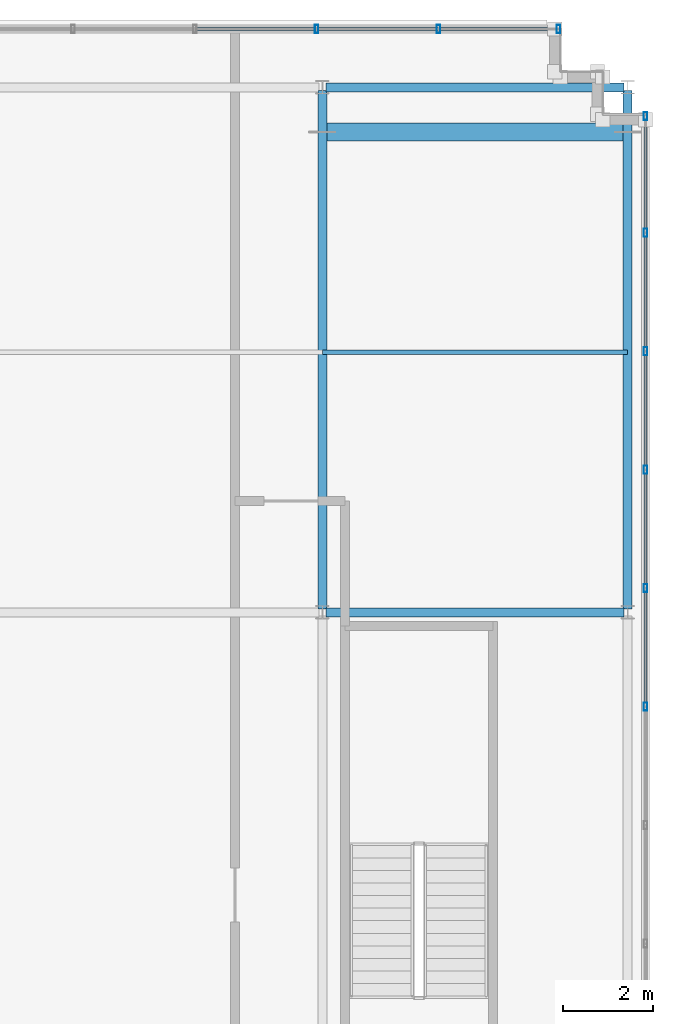
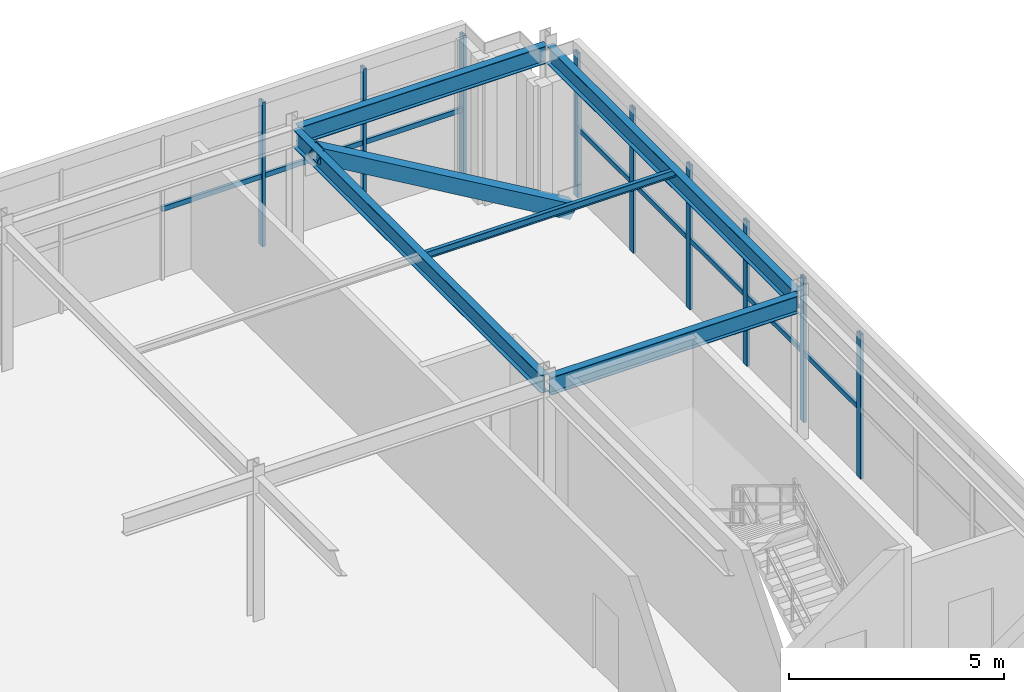
# One storey, part 22 of 31: 19 members, 4 beams, 2 elements without a shape of their own.
"""IFC4 building model written with IfcOpenShell, lengths in metres."""

from ifc_helpers import new_model, si_unit, direction, frame, origin, origin_2d, place, context, subcontext, project, spatial, hollow_rectangle, i_section, extrude, source, transform, mapped, material, material_profile, profile_set, type_object, element, aggregate, save


model = new_model("IFC4")

# Units and contexts
model_context = context("Model", 3, precision=1e-05, world=origin(), true_north=direction((0.0, 1.0)))
body_context = subcontext(model_context, "Body", "Model", "MODEL_VIEW")
ifc_project = project(units=[si_unit("LENGTHUNIT", "METRE"), si_unit("AREAUNIT", "SQUARE_METRE"), si_unit("VOLUMEUNIT", "CUBIC_METRE"), si_unit("PLANEANGLEUNIT", "RADIAN"), si_unit("MASSUNIT", "GRAM", prefix="KILO")], contexts=[model_context])

# Site, building, storey
site_placement = place(None, origin())
site = spatial("IfcSite", under=ifc_project, at=site_placement, CompositionType="ELEMENT")
building_placement = place(site_placement, origin())
building = spatial("IfcBuilding", under=site, at=building_placement, Name="Trelvane Seafront Commons", CompositionType="ELEMENT")
storey_placement = place(building_placement, frame((0.0, 0.0, 307.89990234375)))
storey = spatial("IfcBuildingStorey", under=building, at=storey_placement, Name="L80", CompositionType="ELEMENT", Elevation=307.89990234375)

# Beams
ifc_material_1 = material(Name="Steel SM355 (S355)", Category="steel")
ifc_material_profile_1 = material_profile(ifc_material_1, i_section(OverallWidth=0.199951171875, OverallDepth=0.5, WebThickness=0.010009765625, FlangeThickness=0.01611328125, at=origin_2d()), Name="H-500x200x10x16")
ifc_profile_set_1 = profile_set([ifc_material_profile_1], Name="Steel SM355 (S355)")
beam_type_1 = type_object("IfcBeamType", Name="STR-CROWN-FRAME-RING", PredefinedType="SPANDREL", material=ifc_profile_set_1)
shared_shape_1 = source(origin(), body_context, "Body", "SweptSolid", [
    extrude(i_section(OverallWidth=0.199951171875, OverallDepth=0.5, WebThickness=0.010009765625, FlangeThickness=0.01611328125, at=origin_2d()), origin(), (0.0, 0.0, 1.0), 6.64990234375),
])
for number, where, z_axis, x_axis, name in (
    (1, (58.875, 33.39990234375, 3.85009765625), (1.0, 0.0, 0.0), (0.0, 1.0, 0.0), "L80 CROWN FRAME Ring Beam G-14"),
    (2, (58.875, 45.10009765625, 3.85009765625), (1.0, 0.0, 0.0), (0.0, 1.0, 0.0), "L80 CROWN FRAME Ring Beam G-21"),
):
    element("IfcBeam", number, at=place(storey_placement, frame(where, z_axis=z_axis, x_axis=x_axis)), inside=storey, type_object=beam_type_1, Name=name, PredefinedType="SPANDREL", context=body_context, shape_type="MappedRepresentation", body=[
        mapped(shared_shape_1, transform((0.0, 0.0, 0.0), x_axis=(1.0, 0.0, 0.0), y_axis=(0.0, 1.0, 0.0), z_axis=(0.0, 0.0, 1.0), scale=1.0)),
    ])
ifc_material_profile_2 = material_profile(ifc_material_1, i_section(OverallWidth=0.199951171875, OverallDepth=0.5, WebThickness=0.010009765625, FlangeThickness=0.01611328125, at=origin_2d()), Name="H-500x200x10x16")
ifc_profile_set_2 = profile_set([ifc_material_profile_2], Name="Steel SM355 (S355)")
beam_type_2 = type_object("IfcBeamType", Name="STR-BM-H500", PredefinedType="BEAM", material=ifc_profile_set_2)
shared_shape_2 = source(origin(), body_context, "Body", "SweptSolid", [
    extrude(i_section(OverallWidth=0.199951171875, OverallDepth=0.5, WebThickness=0.010009765625, FlangeThickness=0.01611328125, at=origin_2d()), origin(), (0.0, 0.0, 1.0), 11.5498046875),
])
for number, where, z_axis, x_axis, name in (
    (3, (58.800048828125, 33.47509765625, 3.85009765625), (0.0, 1.0, 0.0), (-1.0, 0.0, 0.0), "L80 Primary Girder G-35"),
    (4, (65.60009765625, 33.47509765625, 3.85009765625), (0.0, 1.0, 0.0), (-1.0, 0.0, 0.0), "L80 Primary Girder G-37"),
):
    element("IfcBeam", number, at=place(storey_placement, frame(where, z_axis=z_axis, x_axis=x_axis)), inside=storey, type_object=beam_type_2, Name=name, PredefinedType="BEAM", context=body_context, shape_type="MappedRepresentation", body=[
        mapped(shared_shape_2, transform((0.0, 0.0, 0.0), x_axis=(1.0, 0.0, 0.0), y_axis=(0.0, 1.0, 0.0), z_axis=(0.0, 0.0, 1.0), scale=1.0)),
    ])

# Members
ifc_material_profile_3 = material_profile(ifc_material_1, i_section(OverallWidth=0.10009765625, OverallDepth=0.199951171875, WebThickness=0.005615234375, FlangeThickness=0.008056640625, at=origin_2d()), Name="H-200x100x5.5x8")
ifc_profile_set_3 = profile_set([ifc_material_profile_3], Name="Steel SM355 (S355)")
member_type_1 = type_object("IfcMemberType", Name="STR-PUR-H200", PredefinedType="PURLIN", material=ifc_profile_set_3)
shared_shape_3 = source(origin(), body_context, "Body", "SweptSolid", [
    extrude(i_section(OverallWidth=0.10009765625, OverallDepth=0.199951171875, WebThickness=0.005615234375, FlangeThickness=0.008056640625, at=origin_2d()), origin(), (0.0, 0.0, 1.0), 6.800048828125),
])
member_1_placement = place(storey_placement, frame((58.800048828125, 39.199951171875, 4.0), z_axis=(1.0, 0.0, 0.0), x_axis=(0.0, 1.0, 0.0)))
element("IfcMember", 5, at=member_1_placement, inside=storey, type_object=member_type_1, Name="L80 Crown Roof Purlin PR-2", PredefinedType="PURLIN", context=body_context, shape_type="MappedRepresentation", body=[
    mapped(shared_shape_3, transform((0.0, 0.0, 0.0), x_axis=(1.0, 0.0, 0.0), y_axis=(0.0, 1.0, 0.0), z_axis=(0.0, 0.0, 1.0), scale=1.0)),
])
ifc_material_profile_4 = material_profile(ifc_material_1, hollow_rectangle(XDim=0.39990234375, YDim=0.39990234375, WallThickness=0.01611328125, at=origin_2d()), Name="RHS-400x400x16")
ifc_profile_set_4 = profile_set([ifc_material_profile_4], Name="Steel SM355 (S355)")
member_type_2 = type_object("IfcMemberType", Name="STR-BRC-RHS400", PredefinedType="BRACE", material=ifc_profile_set_4)
shared_shape_4 = source(origin(), body_context, "Body", "SweptSolid", [
    extrude(hollow_rectangle(XDim=0.39990234375, YDim=0.39990234375, WallThickness=0.01611328125, at=origin_2d()), origin(), (0.0, 0.0, 1.0), 7.879150390625),
])
member_2_placement = place(storey_placement, frame((65.60009765625, 44.10009765625, 0.0), z_axis=(-0.863044121855, 0.0, 0.50512854179), x_axis=(0.0, -1.0, 0.0)))
element("IfcMember", 6, at=member_2_placement, inside=storey, type_object=member_type_2, Name="L80 CROWN FRAME Diagonal Brace CE", PredefinedType="BRACE", context=body_context, shape_type="MappedRepresentation", body=[
    mapped(shared_shape_4, transform((0.0, 0.0, 0.0), x_axis=(1.0, 0.0, 0.0), y_axis=(0.0, 1.0, 0.0), z_axis=(0.0, 0.0, 1.0), scale=1.0)),
])

# Curtain wall, members
ifc_material_2 = material(Name="Anodised pale-silver aluminium", Category="aluminium")
curtain_wall_type = type_object("IfcCurtainWallType", Name="ARCH-CW6-CROWN", PredefinedType="NOTDEFINED", material=ifc_material_2)
curtain_wall_1_placement = place(storey_placement, origin())
curtain_wall_1 = element("IfcCurtainWall", 7, at=curtain_wall_1_placement, inside=storey, type_object=curtain_wall_type, Name="CW-L80-0141", PredefinedType="NOTDEFINED")
ifc_material_profile_5 = material_profile(ifc_material_2, hollow_rectangle(XDim=0.080078125, YDim=0.179931640625, WallThickness=0.00439453125, at=origin_2d()), Name="MULL-80x180x4.5")
ifc_profile_set_5 = profile_set([ifc_material_profile_5], Name="Anodised pale-silver aluminium")
member_type_3 = type_object("IfcMemberType", Name="ARCH-CW-MULL-180", PredefinedType="MULLION", material=ifc_profile_set_5)
shared_shape_5 = source(origin(), body_context, "Body", "SweptSolid", [
    extrude(hollow_rectangle(XDim=0.080078125, YDim=0.179931640625, WallThickness=0.00439453125, at=origin_2d()), origin(), (0.0, 0.0, 1.0), 4.10009765625),
])
member_3_placement = place(storey_placement, frame((58.67138671875, 46.39990234375, 0.0), z_axis=(0.0, 0.0, 1.0), x_axis=(1.0, 0.0, 0.0)))
member_3 = element("IfcMember", 8, at=member_3_placement, type_object=member_type_3, Name="CW-L80-0141-M05", PredefinedType="MULLION", context=body_context, shape_type="MappedRepresentation", body=[
    mapped(shared_shape_5, transform((0.0, 0.0, 0.0), x_axis=(1.0, 0.0, 0.0), y_axis=(0.0, 1.0, 0.0), z_axis=(0.0, 0.0, 1.0), scale=1.0)),
])
member_4_placement = place(storey_placement, frame((61.3857421875, 46.39990234375, 0.0), z_axis=(0.0, 0.0, 1.0), x_axis=(1.0, 0.0, 0.0)))
member_4 = element("IfcMember", 9, at=member_4_placement, type_object=member_type_3, Name="CW-L80-0141-M06", PredefinedType="MULLION", context=body_context, shape_type="MappedRepresentation", body=[
    mapped(shared_shape_5, transform((0.0, 0.0, 0.0), x_axis=(1.0, 0.0, 0.0), y_axis=(0.0, 1.0, 0.0), z_axis=(0.0, 0.0, 1.0), scale=1.0)),
])
member_5_placement = place(storey_placement, frame((64.06005859375, 46.39990234375, 0.0), z_axis=(0.0, 0.0, 1.0), x_axis=(1.0, 0.0, 0.0)))
member_5 = element("IfcMember", 10, at=member_5_placement, type_object=member_type_3, Name="CW-L80-0141-M07", PredefinedType="MULLION", context=body_context, shape_type="MappedRepresentation", body=[
    mapped(shared_shape_5, transform((0.0, 0.0, 0.0), x_axis=(1.0, 0.0, 0.0), y_axis=(0.0, 1.0, 0.0), z_axis=(0.0, 0.0, 1.0), scale=1.0)),
])

curtain_wall_2_placement = place(storey_placement, origin())
curtain_wall_2 = element("IfcCurtainWall", 11, at=curtain_wall_2_placement, inside=storey, type_object=curtain_wall_type, Name="CW-L80-0142", PredefinedType="NOTDEFINED")
member_6_placement = place(storey_placement, frame((66.0, 44.4599609375, 0.0), z_axis=(0.0, 0.0, 1.0), x_axis=(1.0, 0.0, 0.0)))
member_6 = element("IfcMember", 12, at=member_6_placement, type_object=member_type_3, Name="CW-L80-0142-M00", PredefinedType="MULLION", context=body_context, shape_type="MappedRepresentation", body=[
    mapped(shared_shape_5, transform((0.0, 0.0, 0.0), x_axis=(1.0, 0.0, 0.0), y_axis=(0.0, 1.0, 0.0), z_axis=(0.0, 0.0, 1.0), scale=1.0)),
])
member_7_placement = place(storey_placement, frame((66.0, 41.860107421875, 0.0), z_axis=(0.0, 0.0, 1.0), x_axis=(1.0, 0.0, 0.0)))
member_7 = element("IfcMember", 13, at=member_7_placement, type_object=member_type_3, Name="CW-L80-0142-M01", PredefinedType="MULLION", context=body_context, shape_type="MappedRepresentation", body=[
    mapped(shared_shape_5, transform((0.0, 0.0, 0.0), x_axis=(1.0, 0.0, 0.0), y_axis=(0.0, 1.0, 0.0), z_axis=(0.0, 0.0, 1.0), scale=1.0)),
])
member_8_placement = place(storey_placement, frame((66.0, 39.219970703125, 0.0), z_axis=(0.0, 0.0, 1.0), x_axis=(1.0, 0.0, 0.0)))
member_8 = element("IfcMember", 14, at=member_8_placement, type_object=member_type_3, Name="CW-L80-0142-M02", PredefinedType="MULLION", context=body_context, shape_type="MappedRepresentation", body=[
    mapped(shared_shape_5, transform((0.0, 0.0, 0.0), x_axis=(1.0, 0.0, 0.0), y_axis=(0.0, 1.0, 0.0), z_axis=(0.0, 0.0, 1.0), scale=1.0)),
])
member_9_placement = place(storey_placement, frame((66.0, 36.580078125, 0.0), z_axis=(0.0, 0.0, 1.0), x_axis=(1.0, 0.0, 0.0)))
member_9 = element("IfcMember", 15, at=member_9_placement, type_object=member_type_3, Name="CW-L80-0142-M03", PredefinedType="MULLION", context=body_context, shape_type="MappedRepresentation", body=[
    mapped(shared_shape_5, transform((0.0, 0.0, 0.0), x_axis=(1.0, 0.0, 0.0), y_axis=(0.0, 1.0, 0.0), z_axis=(0.0, 0.0, 1.0), scale=1.0)),
])
member_10_placement = place(storey_placement, frame((66.0, 33.93994140625, 0.0), z_axis=(0.0, 0.0, 1.0), x_axis=(1.0, 0.0, 0.0)))
member_10 = element("IfcMember", 16, at=member_10_placement, type_object=member_type_3, Name="CW-L80-0142-M04", PredefinedType="MULLION", context=body_context, shape_type="MappedRepresentation", body=[
    mapped(shared_shape_5, transform((0.0, 0.0, 0.0), x_axis=(1.0, 0.0, 0.0), y_axis=(0.0, 1.0, 0.0), z_axis=(0.0, 0.0, 1.0), scale=1.0)),
])
member_11_placement = place(storey_placement, frame((66.0, 31.300048828125, 0.0), z_axis=(0.0, 0.0, 1.0), x_axis=(1.0, 0.0, 0.0)))
member_11 = element("IfcMember", 17, at=member_11_placement, type_object=member_type_3, Name="CW-L80-0142-M05", PredefinedType="MULLION", context=body_context, shape_type="MappedRepresentation", body=[
    mapped(shared_shape_5, transform((0.0, 0.0, 0.0), x_axis=(1.0, 0.0, 0.0), y_axis=(0.0, 1.0, 0.0), z_axis=(0.0, 0.0, 1.0), scale=1.0)),
])
ifc_material_profile_6 = material_profile(ifc_material_2, hollow_rectangle(XDim=0.074951171875, YDim=0.139892578125, WallThickness=0.00390625, at=origin_2d()), Name="TRAN-75x140x4")
ifc_profile_set_6 = profile_set([ifc_material_profile_6], Name="Anodised pale-silver aluminium")
member_type_4 = type_object("IfcMemberType", Name="ARCH-CW-TRAN-140", PredefinedType="USERDEFINED", material=ifc_profile_set_6)
shared_shape_6 = source(origin(), body_context, "Body", "SweptSolid", [
    extrude(hollow_rectangle(XDim=0.074951171875, YDim=0.139892578125, WallThickness=0.00390625, at=origin_2d()), origin(), (0.0, 0.0, 1.0), 2.615966796875),
])
member_12_placement = place(storey_placement, frame((66.0, 44.488037109375, 1.968017578125), z_axis=(0.0, -1.0, 0.0), x_axis=(1.0, 0.0, 0.0)))
member_12 = element("IfcMember", 18, at=member_12_placement, type_object=member_type_4, Name="CW-L80-0142-T00", ObjectType="TRANSOM", PredefinedType="USERDEFINED", context=body_context, shape_type="MappedRepresentation", body=[
    mapped(shared_shape_6, transform((0.0, 0.0, 0.0), x_axis=(1.0, 0.0, 0.0), y_axis=(0.0, 1.0, 0.0), z_axis=(0.0, 0.0, 1.0), scale=1.0)),
])
member_13_placement = place(storey_placement, frame((66.0, 41.847900390625, 1.968017578125), z_axis=(0.0, -1.0, 0.0), x_axis=(1.0, 0.0, 0.0)))
member_13 = element("IfcMember", 19, at=member_13_placement, type_object=member_type_4, Name="CW-L80-0142-T01", ObjectType="TRANSOM", PredefinedType="USERDEFINED", context=body_context, shape_type="MappedRepresentation", body=[
    mapped(shared_shape_6, transform((0.0, 0.0, 0.0), x_axis=(1.0, 0.0, 0.0), y_axis=(0.0, 1.0, 0.0), z_axis=(0.0, 0.0, 1.0), scale=1.0)),
])
member_14_placement = place(storey_placement, frame((66.0, 39.2080078125, 1.968017578125), z_axis=(0.0, -1.0, 0.0), x_axis=(1.0, 0.0, 0.0)))
member_14 = element("IfcMember", 20, at=member_14_placement, type_object=member_type_4, Name="CW-L80-0142-T02", ObjectType="TRANSOM", PredefinedType="USERDEFINED", context=body_context, shape_type="MappedRepresentation", body=[
    mapped(shared_shape_6, transform((0.0, 0.0, 0.0), x_axis=(1.0, 0.0, 0.0), y_axis=(0.0, 1.0, 0.0), z_axis=(0.0, 0.0, 1.0), scale=1.0)),
])
member_15_placement = place(storey_placement, frame((66.0, 33.927978515625, 1.968017578125), z_axis=(0.0, -1.0, 0.0), x_axis=(1.0, 0.0, 0.0)))
member_15 = element("IfcMember", 21, at=member_15_placement, type_object=member_type_4, Name="CW-L80-0142-T04", ObjectType="TRANSOM", PredefinedType="USERDEFINED", context=body_context, shape_type="MappedRepresentation", body=[
    mapped(shared_shape_6, transform((0.0, 0.0, 0.0), x_axis=(1.0, 0.0, 0.0), y_axis=(0.0, 1.0, 0.0), z_axis=(0.0, 0.0, 1.0), scale=1.0)),
])
shared_shape_7 = source(origin(), body_context, "Body", "SweptSolid", [
    extrude(hollow_rectangle(XDim=0.074951171875, YDim=0.139892578125, WallThickness=0.00390625, at=origin_2d()), origin(), (0.0, 0.0, 1.0), 2.6162109375),
])
member_16_placement = place(storey_placement, frame((66.0, 36.568115234375, 1.968017578125), z_axis=(0.0, -1.0, 0.0), x_axis=(1.0, 0.0, 0.0)))
member_16 = element("IfcMember", 22, at=member_16_placement, type_object=member_type_4, Name="CW-L80-0142-T03", ObjectType="TRANSOM", PredefinedType="USERDEFINED", context=body_context, shape_type="MappedRepresentation", body=[
    mapped(shared_shape_7, transform((0.0, 0.0, 0.0), x_axis=(1.0, 0.0, 0.0), y_axis=(0.0, 1.0, 0.0), z_axis=(0.0, 0.0, 1.0), scale=1.0)),
])
aggregate(curtain_wall_2, [member_6, member_7, member_8, member_9, member_10, member_11, member_12, member_13, member_14, member_16, member_15])

# Member
shared_shape_8 = source(origin(), body_context, "Body", "SweptSolid", [
    extrude(hollow_rectangle(XDim=0.074951171875, YDim=0.139892578125, WallThickness=0.00390625, at=origin_2d()), origin(), (0.0, 0.0, 1.0), 2.690185546875),
])
member_17_placement = place(storey_placement, frame((61.397705078125, 46.39990234375, 1.968017578125), z_axis=(1.0, 0.0, 0.0), x_axis=(0.0, 1.0, 0.0)))
member_17 = element("IfcMember", 23, at=member_17_placement, type_object=member_type_4, Name="CW-L80-0141-T06", ObjectType="TRANSOM", PredefinedType="USERDEFINED", context=body_context, shape_type="MappedRepresentation", body=[
    mapped(shared_shape_8, transform((0.0, 0.0, 0.0), x_axis=(1.0, 0.0, 0.0), y_axis=(0.0, 1.0, 0.0), z_axis=(0.0, 0.0, 1.0), scale=1.0)),
])

shared_shape_9 = source(origin(), body_context, "Body", "SweptSolid", [
    extrude(hollow_rectangle(XDim=0.074951171875, YDim=0.139892578125, WallThickness=0.00390625, at=origin_2d()), origin(), (0.0, 0.0, 1.0), 2.6904296875),
])
member_18_placement = place(storey_placement, frame((55.968994140625, 46.39990234375, 1.968017578125), z_axis=(1.0, 0.0, 0.0), x_axis=(0.0, 1.0, 0.0)))
member_18 = element("IfcMember", 24, at=member_18_placement, type_object=member_type_4, Name="CW-L80-0141-T04", ObjectType="TRANSOM", PredefinedType="USERDEFINED", context=body_context, shape_type="MappedRepresentation", body=[
    mapped(shared_shape_9, transform((0.0, 0.0, 0.0), x_axis=(1.0, 0.0, 0.0), y_axis=(0.0, 1.0, 0.0), z_axis=(0.0, 0.0, 1.0), scale=1.0)),
])

member_19_placement = place(storey_placement, frame((58.683349609375, 46.39990234375, 1.968017578125), z_axis=(1.0, 0.0, 0.0), x_axis=(0.0, 1.0, 0.0)))
member_19 = element("IfcMember", 25, at=member_19_placement, type_object=member_type_4, Name="CW-L80-0141-T05", ObjectType="TRANSOM", PredefinedType="USERDEFINED", context=body_context, shape_type="MappedRepresentation", body=[
    mapped(shared_shape_9, transform((0.0, 0.0, 0.0), x_axis=(1.0, 0.0, 0.0), y_axis=(0.0, 1.0, 0.0), z_axis=(0.0, 0.0, 1.0), scale=1.0)),
])

aggregate(curtain_wall_1, [member_3, member_4, member_5, member_18, member_19, member_17])

save(model, "model.ifc")
